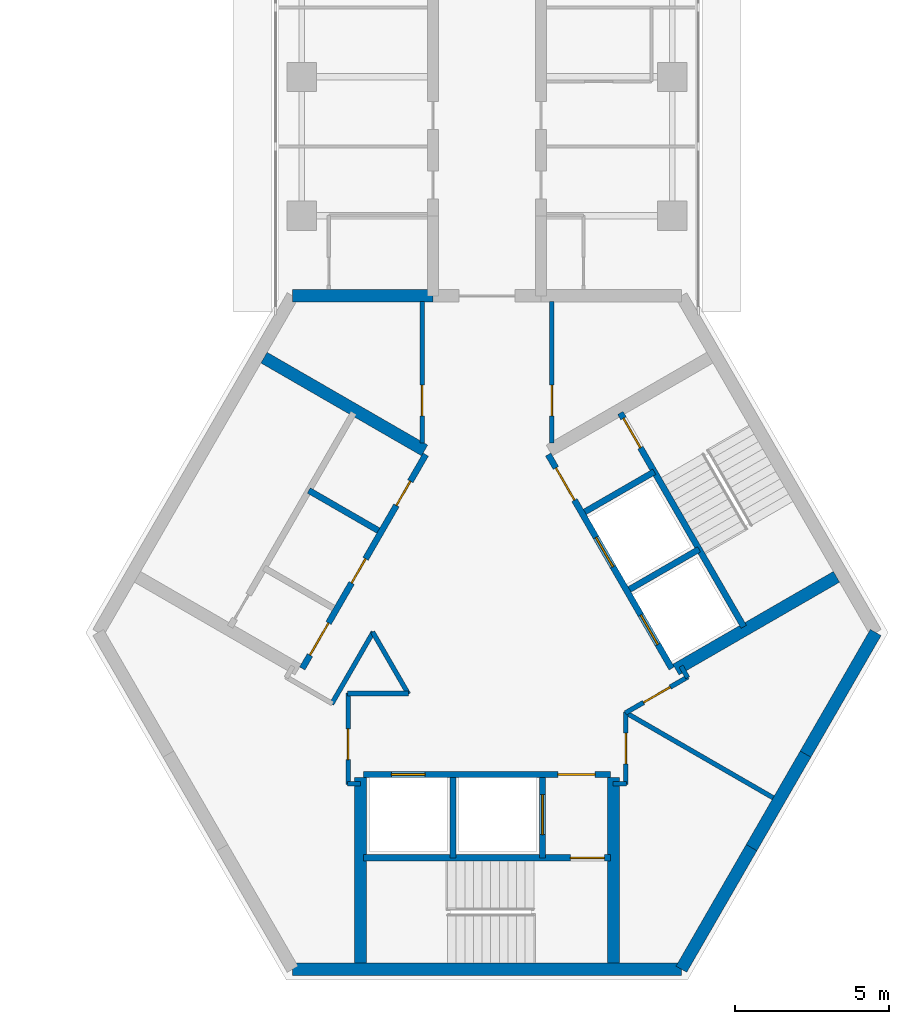
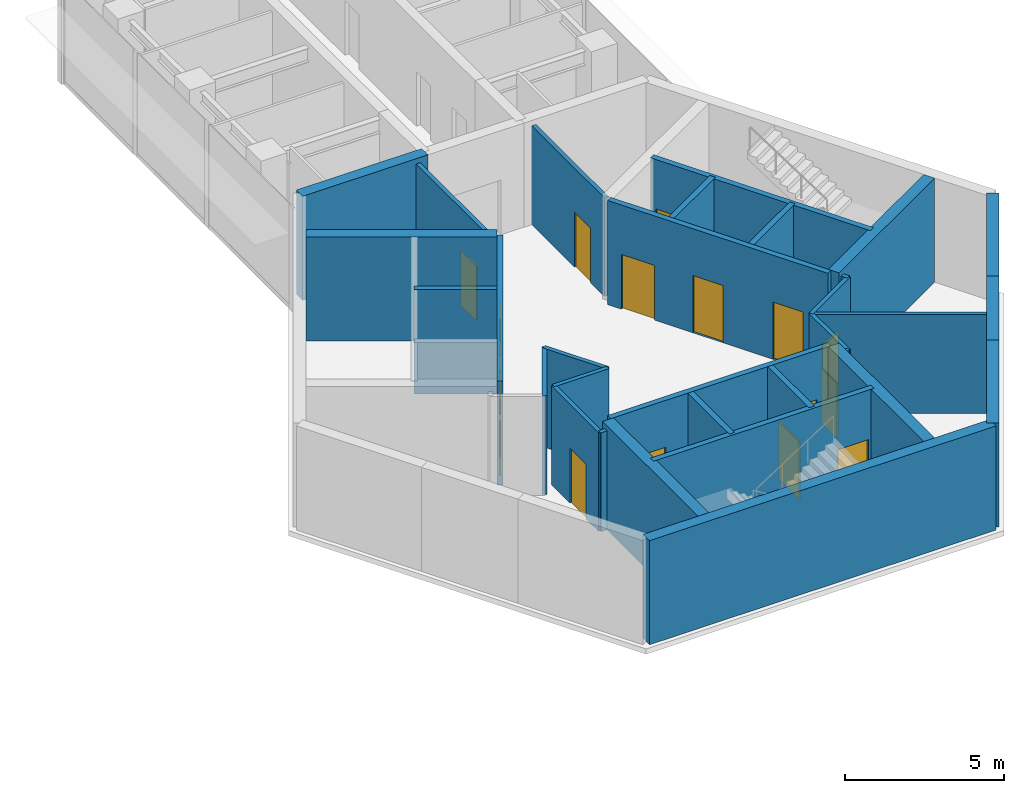
# One storey, part 8 of 11: 31 walls, 16 doors, 16 openings.
"""IFC4 building model written with IfcOpenShell, lengths in metres."""

from ifc_helpers import new_model, si_unit, direction, frame, frame_2d, origin, place, context, subcontext, project, spatial, rectangle, extrude, material, layer, layer_set, type_object, element, fill, save


model = new_model("IFC4")

# Units and contexts
model_context = context("Model", 3, precision=1e-05, world=origin(), true_north=direction((0.0, 1.0)))
body_context = subcontext(model_context, "Body", "Model", "MODEL_VIEW")
ifc_project = project(units=[si_unit("LENGTHUNIT", "METRE"), si_unit("AREAUNIT", "SQUARE_METRE"), si_unit("VOLUMEUNIT", "CUBIC_METRE"), si_unit("PLANEANGLEUNIT", "RADIAN"), si_unit("MASSUNIT", "GRAM", prefix="KILO")], contexts=[model_context])

# Site, building, storey
site_placement = place(None, origin())
site = spatial("IfcSite", under=ifc_project, at=site_placement, CompositionType="ELEMENT")
building_placement = place(site_placement, origin())
building = spatial("IfcBuilding", under=site, at=building_placement, Name="Upepo Twin Towers", CompositionType="ELEMENT")
storey_placement = place(building_placement, frame((0.0, 0.0, 279.5)))
storey = spatial("IfcBuildingStorey", under=building, at=storey_placement, Name="L68", CompositionType="ELEMENT", Elevation=279.5)

# Walls
ifc_material_1 = material(Name="Concrete C60/75", Category="concrete")
ifc_layer_1 = layer(ifc_material_1, 0.39990234375)
ifc_layer_set_1 = layer_set([ifc_layer_1], Name="Concrete C60/75")
wall_type_1 = type_object("IfcWallType", Name="Core wall 400 RC", PredefinedType="SHEAR", material=ifc_layer_set_1)
wall_1_placement = place(storey_placement, frame((56.75, -7.091552734375, 0.0), z_axis=(0.0, 0.0, 1.0), x_axis=(-1.0, 0.0, 0.0)))
element("IfcWall", 1, at=wall_1_placement, inside=storey, type_object=wall_type_1, Name="T2 core wall 000 L", PredefinedType="SHEAR", context=body_context, shape_type="SweptSolid", body=[
    extrude(rectangle(XDim=4.5478515625, YDim=0.39990234375, at=frame_2d((2.27392578125, 0.0))), origin(), (0.0, 0.0, 1.0), 4.0),
])
wall_2_placement = place(storey_placement, frame((52.2021484375, -28.908447265625, 0.0), z_axis=(0.0, 0.0, 1.0), x_axis=(1.0, 0.0, 0.0)))
element("IfcWall", 2, at=wall_2_placement, inside=storey, type_object=wall_type_1, Name="T2 core wall 180", PredefinedType="SHEAR", context=body_context, shape_type="SweptSolid", body=[
    extrude(rectangle(XDim=12.595703125, YDim=0.39990234375, at=frame_2d((6.2978515625, 0.0))), origin(), (0.0, 0.0, 1.0), 4.0),
])
wall_3_placement = place(storey_placement, frame((64.7978515625, -28.908447265625, 0.0), z_axis=(0.0, 0.0, 1.0), x_axis=(0.499984222037, 0.866034513004, 0.0)))
element("IfcWall", 3, at=wall_3_placement, inside=storey, type_object=wall_type_1, Name="T2 core wall 240 R", PredefinedType="SHEAR", context=body_context, shape_type="SweptSolid", body=[
    extrude(rectangle(XDim=4.548095703125, YDim=0.39990234375, at=frame_2d((2.27392578125, 0.0))), origin(), (0.0, 0.0, 1.0), 4.0),
])
wall_4_placement = place(storey_placement, frame((67.07177734375, -24.9697265625, 0.0), z_axis=(0.0, 0.0, 1.0), x_axis=(0.500010275428, 0.866019471182, 0.0)))
element("IfcWall", 4, at=wall_4_placement, inside=storey, type_object=wall_type_1, Name="T2 core wall 240", PredefinedType="SHEAR", context=body_context, shape_type="SweptSolid", body=[
    extrude(rectangle(XDim=3.5, YDim=0.39990234375, at=frame_2d((1.75, 0.0))), origin(), (0.0, 0.0, 1.0), 4.0),
])
wall_5_placement = place(storey_placement, frame((68.82177734375, -21.938720703125, 0.0), z_axis=(0.0, 0.0, 1.0), x_axis=(0.500024481964, 0.866011268655, 0.0)))
element("IfcWall", 5, at=wall_5_placement, inside=storey, type_object=wall_type_1, Name="T2 core wall 240 L", PredefinedType="SHEAR", context=body_context, shape_type="SweptSolid", body=[
    extrude(rectangle(XDim=4.548095703125, YDim=0.39990234375, at=frame_2d((2.27392578125, 0.0))), origin(), (0.0, 0.0, 1.0), 4.0),
])

# Wall, openings, doors
ifc_material_2 = material(Name="Concrete C40/50", Category="concrete")
ifc_layer_2 = layer(ifc_material_2, 0.199951171875)
ifc_layer_set_2 = layer_set([ifc_layer_2], Name="Concrete C40/50")
wall_type_2 = type_object("IfcWallType", Name="Shaft wall 200 RC", PredefinedType="SHEAR", material=ifc_layer_set_2)
wall_6_placement = place(storey_placement, frame((56.516357421875, -12.23583984375, 0.0), z_axis=(0.0, 0.0, 1.0), x_axis=(-0.49999894854, -0.866026010844, 0.0)))
wall_6 = element("IfcWall", 6, at=wall_6_placement, inside=storey, type_object=wall_type_2, Name="T2 core W60 front wall", PredefinedType="SHEAR", context=body_context, shape_type="SweptSolid", body=[
    extrude(rectangle(XDim=8.0, YDim=0.199951171875, at=frame_2d((4.0, 0.0))), origin(), (0.0, 0.0, 1.0), 4.0),
])
opening_1_placement = place(wall_6_placement, frame((6.300048828125, 0.0, 0.0)))
opening_1 = element("IfcOpeningElement", 7, at=opening_1_placement, cuts=wall_6, Name="Opening D4", PredefinedType="OPENING", context=body_context, shape_type="SweptSolid", body=[
    extrude(rectangle(XDim=1.199951171875, YDim=2.10009765625, at=frame_2d((0.60009765625, 1.050048828125))), frame((0.0, 0.10986328125, 0.0), z_axis=(0.0, -1.0, 0.0), x_axis=(1.0, 0.0, 0.0)), (0.0, 0.0, 1.0), 0.219970703125),
])
opening_2_placement = place(wall_6_placement, frame((1.0, 0.0, 0.0)))
opening_2 = element("IfcOpeningElement", 8, at=opening_2_placement, cuts=wall_6, Name="Opening D9", PredefinedType="OPENING", context=body_context, shape_type="SweptSolid", body=[
    extrude(rectangle(XDim=0.89990234375, YDim=2.10009765625, at=frame_2d((0.449951171875, 1.050048828125))), frame((0.0, 0.10986328125, 0.0), z_axis=(0.0, -1.0, 0.0), x_axis=(1.0, 0.0, 0.0)), (0.0, 0.0, 1.0), 0.219970703125),
])
opening_3_placement = place(wall_6_placement, frame((3.89990234375, 0.0, 0.0)))
opening_3 = element("IfcOpeningElement", 9, at=opening_3_placement, cuts=wall_6, Name="Opening D9", PredefinedType="OPENING", context=body_context, shape_type="SweptSolid", body=[
    extrude(rectangle(XDim=0.89990234375, YDim=2.10009765625, at=frame_2d((0.449951171875, 1.050048828125))), frame((0.0, 0.10986328125, 0.0), z_axis=(0.0, -1.0, 0.0), x_axis=(1.0, 0.0, 0.0)), (0.0, 0.0, 1.0), 0.219970703125),
])
ifc_material_3 = material(Name="Timber doorset", Category="wood")
door_type_1 = type_object("IfcDoorType", Name="Lobby door 1200 FD60", OperationType="SINGLE_SWING_LEFT", PredefinedType="DOOR", material=ifc_material_3)
door_1_placement = place(opening_1_placement, origin())
door_1 = element("IfcDoor", 10, at=door_1_placement, inside=storey, type_object=door_type_1, Name="T2 L68 W60 lobby door", OperationType="SINGLE_SWING_RIGHT", OverallHeight=2.10009765625, OverallWidth=1.199951171875, PredefinedType="DOOR", context=body_context, shape_type="SweptSolid", body=[
    extrude(rectangle(XDim=1.199951171875, YDim=2.10009765625, at=frame_2d((0.60009765625, 1.050048828125))), frame((0.0, 0.02490234375, 0.0), z_axis=(0.0, -1.0, 0.0), x_axis=(1.0, 0.0, 0.0)), (0.0, 0.0, 1.0), 0.050048828125),
])
fill(opening_1, door_1)
ifc_material_4 = material(Name="Timber doorset", Category="wood")
door_type_2 = type_object("IfcDoorType", Name="Riser door 900 FD60", OperationType="SINGLE_SWING_LEFT", PredefinedType="DOOR", material=ifc_material_4)
door_2_placement = place(opening_2_placement, origin())
door_2 = element("IfcDoor", 11, at=door_2_placement, inside=storey, type_object=door_type_2, Name="T2 L68 first-aid room door", OperationType="SINGLE_SWING_LEFT", OverallHeight=2.10009765625, OverallWidth=0.89990234375, PredefinedType="DOOR", context=body_context, shape_type="SweptSolid", body=[
    extrude(rectangle(XDim=0.89990234375, YDim=2.10009765625, at=frame_2d((0.449951171875, 1.050048828125))), frame((0.0, 0.02490234375, 0.0), z_axis=(0.0, -1.0, 0.0), x_axis=(1.0, 0.0, 0.0)), (0.0, 0.0, 1.0), 0.050048828125),
])
fill(opening_2, door_2)
door_3_placement = place(opening_3_placement, origin())
door_3 = element("IfcDoor", 12, at=door_3_placement, inside=storey, type_object=door_type_2, Name="T2 L68 pantry store door", OperationType="SINGLE_SWING_RIGHT", OverallHeight=2.10009765625, OverallWidth=0.89990234375, PredefinedType="DOOR", context=body_context, shape_type="SweptSolid", body=[
    extrude(rectangle(XDim=0.89990234375, YDim=2.10009765625, at=frame_2d((0.449951171875, 1.050048828125))), frame((0.0, 0.02490234375, 0.0), z_axis=(0.0, -1.0, 0.0), x_axis=(1.0, 0.0, 0.0)), (0.0, 0.0, 1.0), 0.050048828125),
])
fill(opening_3, door_3)

# Wall
wall_7_placement = place(storey_placement, frame((54.979736328125, -14.697265625, 0.0), z_axis=(0.0, 0.0, 1.0), x_axis=(-0.866062058628, 0.499936506574, 0.0)))
element("IfcWall", 13, at=wall_7_placement, inside=storey, type_object=wall_type_2, Name="T2 core W60 shaft divider", PredefinedType="SHEAR", context=body_context, shape_type="SweptSolid", body=[
    extrude(rectangle(XDim=2.599853515625, YDim=0.199951171875, at=frame_2d((1.2998046875, 0.0))), origin(), (0.0, 0.0, 1.0), 4.0),
])

# Wall, openings, doors
wall_8_placement = place(storey_placement, frame((54.5, -22.60009765625, 0.0), z_axis=(0.0, 0.0, 1.0), x_axis=(1.0, 0.0, 0.0)))
wall_8 = element("IfcWall", 14, at=wall_8_placement, inside=storey, type_object=wall_type_2, Name="T2 core W180 front wall", PredefinedType="SHEAR", context=body_context, shape_type="SweptSolid", body=[
    extrude(rectangle(XDim=8.0, YDim=0.199951171875, at=frame_2d((4.0, 0.0))), origin(), (0.0, 0.0, 1.0), 4.0),
])
opening_4_placement = place(wall_8_placement, frame((6.300048828125, 0.0, 0.0)))
opening_4 = element("IfcOpeningElement", 15, at=opening_4_placement, cuts=wall_8, Name="Opening D4", PredefinedType="OPENING", context=body_context, shape_type="SweptSolid", body=[
    extrude(rectangle(XDim=1.199951171875, YDim=2.10009765625, at=frame_2d((0.60009765625, 1.050048828125))), frame((0.0, 0.10986328125, 0.0), z_axis=(0.0, -1.0, 0.0), x_axis=(1.0, 0.0, 0.0)), (0.0, 0.0, 1.0), 0.219970703125),
])
opening_5_placement = place(wall_8_placement, frame((0.89990234375, 0.0, 0.0)))
opening_5 = element("IfcOpeningElement", 16, at=opening_5_placement, cuts=wall_8, Name="Opening LD1", PredefinedType="OPENING", context=body_context, shape_type="SweptSolid", body=[
    extrude(rectangle(XDim=1.10009765625, YDim=2.199951171875, at=frame_2d((0.550048828125, 1.10009765625))), frame((0.0, 0.10986328125, 0.0), z_axis=(0.0, -1.0, 0.0), x_axis=(1.0, 0.0, 0.0)), (0.0, 0.0, 1.0), 0.219970703125),
])
ifc_material_5 = material(Name="Steel doorset", Category="steel")
door_type_3 = type_object("IfcDoorType", Name="Lift landing door 1100", OperationType="DOUBLE_DOOR_SLIDING", PredefinedType="DOOR", material=ifc_material_5)
door_4_placement = place(opening_5_placement, origin())
door_4 = element("IfcDoor", 17, at=door_4_placement, inside=storey, type_object=door_type_3, Name="T2 L68 lift SV1 landing door", OperationType="DOUBLE_DOOR_SLIDING", OverallHeight=2.199951171875, OverallWidth=1.10009765625, PredefinedType="DOOR", context=body_context, shape_type="SweptSolid", body=[
    extrude(rectangle(XDim=1.10009765625, YDim=2.199951171875, at=frame_2d((0.550048828125, 1.10009765625))), frame((0.0, 0.02490234375, 0.0), z_axis=(0.0, -1.0, 0.0), x_axis=(1.0, 0.0, 0.0)), (0.0, 0.0, 1.0), 0.050048828125),
])
fill(opening_5, door_4)
door_5_placement = place(opening_4_placement, origin())
door_5 = element("IfcDoor", 18, at=door_5_placement, inside=storey, type_object=door_type_1, Name="T2 L68 W180 lobby door", OperationType="SINGLE_SWING_RIGHT", OverallHeight=2.10009765625, OverallWidth=1.199951171875, PredefinedType="DOOR", context=body_context, shape_type="SweptSolid", body=[
    extrude(rectangle(XDim=1.199951171875, YDim=2.10009765625, at=frame_2d((0.60009765625, 1.050048828125))), frame((0.0, 0.02490234375, 0.0), z_axis=(0.0, -1.0, 0.0), x_axis=(1.0, 0.0, 0.0)), (0.0, 0.0, 1.0), 0.050048828125),
])
fill(opening_4, door_5)

# Wall
wall_9_placement = place(storey_placement, frame((57.39990234375, -22.699951171875, 0.0), z_axis=(0.0, 0.0, 1.0), x_axis=(0.0, -1.0, 0.0)))
element("IfcWall", 19, at=wall_9_placement, inside=storey, type_object=wall_type_2, Name="T2 core W180 shaft divider", PredefinedType="SHEAR", context=body_context, shape_type="SweptSolid", body=[
    extrude(rectangle(XDim=2.60009765625, YDim=0.199951171875, at=frame_2d((1.300048828125, 0.0))), origin(), (0.0, 0.0, 1.0), 4.0),
])

# Wall, opening, door
wall_10_placement = place(storey_placement, frame((60.300048828125, -22.699951171875, 0.0), z_axis=(0.0, 0.0, 1.0), x_axis=(0.0, -1.0, 0.0)))
wall_10 = element("IfcWall", 20, at=wall_10_placement, inside=storey, type_object=wall_type_2, Name="T2 core W180 lobby wall", PredefinedType="SHEAR", context=body_context, shape_type="SweptSolid", body=[
    extrude(rectangle(XDim=2.60009765625, YDim=0.199951171875, at=frame_2d((1.300048828125, 0.0))), origin(), (0.0, 0.0, 1.0), 4.0),
])
opening_6_placement = place(wall_10_placement, frame((0.550048828125, 0.0, 0.0)))
opening_6 = element("IfcOpeningElement", 21, at=opening_6_placement, cuts=wall_10, Name="Opening LD2", PredefinedType="OPENING", context=body_context, shape_type="SweptSolid", body=[
    extrude(rectangle(XDim=1.300048828125, YDim=2.199951171875, at=frame_2d((0.64990234375, 1.10009765625))), frame((0.0, 0.10986328125, 0.0), z_axis=(0.0, -1.0, 0.0), x_axis=(1.0, 0.0, 0.0)), (0.0, 0.0, 1.0), 0.219970703125),
])
ifc_material_6 = material(Name="Steel doorset", Category="steel")
door_type_4 = type_object("IfcDoorType", Name="Firefighting lift landing door 1300", OperationType="DOUBLE_DOOR_SLIDING", PredefinedType="DOOR", material=ifc_material_6)
door_6_placement = place(opening_6_placement, origin())
door_6 = element("IfcDoor", 22, at=door_6_placement, inside=storey, type_object=door_type_4, Name="T2 L68 firefighting lift landing door", OperationType="DOUBLE_DOOR_SLIDING", OverallHeight=2.199951171875, OverallWidth=1.300048828125, PredefinedType="DOOR", context=body_context, shape_type="SweptSolid", body=[
    extrude(rectangle(XDim=1.300048828125, YDim=2.199951171875, at=frame_2d((0.64990234375, 1.10009765625))), frame((0.0, 0.02490234375, 0.0), z_axis=(0.0, -1.0, 0.0), x_axis=(1.0, 0.0, 0.0)), (0.0, 0.0, 1.0), 0.050048828125),
])
fill(opening_6, door_6)

wall_11_placement = place(storey_placement, frame((54.5, -25.300048828125, 0.0), z_axis=(0.0, 0.0, 1.0), x_axis=(1.0, 0.0, 0.0)))
wall_11 = element("IfcWall", 23, at=wall_11_placement, inside=storey, type_object=wall_type_2, Name="T2 core W180 stair wall", PredefinedType="SHEAR", context=body_context, shape_type="SweptSolid", body=[
    extrude(rectangle(XDim=8.0, YDim=0.199951171875, at=frame_2d((4.0, 0.0))), origin(), (0.0, 0.0, 1.0), 4.0),
])
opening_7_placement = place(wall_11_placement, frame((6.699951171875, 0.0, 0.0)))
opening_7 = element("IfcOpeningElement", 24, at=opening_7_placement, cuts=wall_11, Name="Opening D3", PredefinedType="OPENING", context=body_context, shape_type="SweptSolid", body=[
    extrude(rectangle(XDim=1.10009765625, YDim=2.10009765625, at=frame_2d((0.550048828125, 1.050048828125))), frame((0.0, 0.10986328125, 0.0), z_axis=(0.0, -1.0, 0.0), x_axis=(1.0, 0.0, 0.0)), (0.0, 0.0, 1.0), 0.219970703125),
])
ifc_material_7 = material(Name="Timber doorset", Category="wood")
door_type_5 = type_object("IfcDoorType", Name="Stair door 1100 FD60", OperationType="SINGLE_SWING_LEFT", PredefinedType="DOOR", material=ifc_material_7)
door_7_placement = place(opening_7_placement, origin())
door_7 = element("IfcDoor", 25, at=door_7_placement, inside=storey, type_object=door_type_5, Name="T2 L68 stair door", OperationType="SINGLE_SWING_RIGHT", OverallHeight=2.10009765625, OverallWidth=1.10009765625, PredefinedType="DOOR", context=body_context, shape_type="SweptSolid", body=[
    extrude(rectangle(XDim=1.10009765625, YDim=2.10009765625, at=frame_2d((0.550048828125, 1.050048828125))), frame((0.0, 0.02490234375, 0.0), z_axis=(0.0, -1.0, 0.0), x_axis=(1.0, 0.0, 0.0)), (0.0, 0.0, 1.0), 0.050048828125),
])
fill(opening_7, door_7)

# Wall, openings, doors
wall_12_placement = place(storey_placement, frame((64.483642578125, -19.1640625, 0.0), z_axis=(0.0, 0.0, 1.0), x_axis=(-0.49999894854, 0.866026010844, 0.0)))
wall_12 = element("IfcWall", 26, at=wall_12_placement, inside=storey, type_object=wall_type_2, Name="T2 core W300 front wall", PredefinedType="SHEAR", context=body_context, shape_type="SweptSolid", body=[
    extrude(rectangle(XDim=8.0, YDim=0.199951171875, at=frame_2d((4.0, 0.0))), origin(), (0.0, 0.0, 1.0), 4.0),
])
opening_8_placement = place(wall_12_placement, frame((6.300048828125, 0.0, 0.0)))
opening_8 = element("IfcOpeningElement", 27, at=opening_8_placement, cuts=wall_12, Name="Opening D4", PredefinedType="OPENING", context=body_context, shape_type="SweptSolid", body=[
    extrude(rectangle(XDim=1.199951171875, YDim=2.10009765625, at=frame_2d((0.60009765625, 1.050048828125))), frame((0.0, 0.10986328125, 0.0), z_axis=(0.0, -1.0, 0.0), x_axis=(1.0, 0.0, 0.0)), (0.0, 0.0, 1.0), 0.219970703125),
])
opening_9_placement = place(wall_12_placement, frame((0.89990234375, 0.0, 0.0)))
opening_9 = element("IfcOpeningElement", 28, at=opening_9_placement, cuts=wall_12, Name="Opening LD1", PredefinedType="OPENING", context=body_context, shape_type="SweptSolid", body=[
    extrude(rectangle(XDim=1.10009765625, YDim=2.199951171875, at=frame_2d((0.550048828125, 1.10009765625))), frame((0.0, 0.10986328125, 0.0), z_axis=(0.0, -1.0, 0.0), x_axis=(1.0, 0.0, 0.0)), (0.0, 0.0, 1.0), 0.219970703125),
])
opening_10_placement = place(wall_12_placement, frame((3.800048828125, 0.0, 0.0)))
opening_10 = element("IfcOpeningElement", 29, at=opening_10_placement, cuts=wall_12, Name="Opening LD1", PredefinedType="OPENING", context=body_context, shape_type="SweptSolid", body=[
    extrude(rectangle(XDim=1.10009765625, YDim=2.199951171875, at=frame_2d((0.550048828125, 1.10009765625))), frame((0.0, 0.10986328125, 0.0), z_axis=(0.0, -1.0, 0.0), x_axis=(1.0, 0.0, 0.0)), (0.0, 0.0, 1.0), 0.219970703125),
])
door_8_placement = place(opening_9_placement, origin())
door_8 = element("IfcDoor", 30, at=door_8_placement, inside=storey, type_object=door_type_3, Name="T2 L68 lift TL1 landing door", OperationType="DOUBLE_DOOR_SLIDING", OverallHeight=2.199951171875, OverallWidth=1.10009765625, PredefinedType="DOOR", context=body_context, shape_type="SweptSolid", body=[
    extrude(rectangle(XDim=1.10009765625, YDim=2.199951171875, at=frame_2d((0.550048828125, 1.10009765625))), frame((0.0, 0.02490234375, 0.0), z_axis=(0.0, -1.0, 0.0), x_axis=(1.0, 0.0, 0.0)), (0.0, 0.0, 1.0), 0.050048828125),
])
fill(opening_9, door_8)
door_9_placement = place(opening_10_placement, origin())
door_9 = element("IfcDoor", 31, at=door_9_placement, inside=storey, type_object=door_type_3, Name="T2 L68 lift TL2 landing door", OperationType="DOUBLE_DOOR_SLIDING", OverallHeight=2.199951171875, OverallWidth=1.10009765625, PredefinedType="DOOR", context=body_context, shape_type="SweptSolid", body=[
    extrude(rectangle(XDim=1.10009765625, YDim=2.199951171875, at=frame_2d((0.550048828125, 1.10009765625))), frame((0.0, 0.02490234375, 0.0), z_axis=(0.0, -1.0, 0.0), x_axis=(1.0, 0.0, 0.0)), (0.0, 0.0, 1.0), 0.050048828125),
])
fill(opening_10, door_9)
door_10_placement = place(opening_8_placement, origin())
door_10 = element("IfcDoor", 32, at=door_10_placement, inside=storey, type_object=door_type_1, Name="T2 L68 W300 lobby door", OperationType="SINGLE_SWING_RIGHT", OverallHeight=2.10009765625, OverallWidth=1.199951171875, PredefinedType="DOOR", context=body_context, shape_type="SweptSolid", body=[
    extrude(rectangle(XDim=1.199951171875, YDim=2.10009765625, at=frame_2d((0.60009765625, 1.050048828125))), frame((0.0, 0.02490234375, 0.0), z_axis=(0.0, -1.0, 0.0), x_axis=(1.0, 0.0, 0.0)), (0.0, 0.0, 1.0), 0.050048828125),
])
fill(opening_8, door_10)

# Walls
wall_13_placement = place(storey_placement, frame((63.120361328125, -16.6025390625, 0.0), z_axis=(0.0, 0.0, 1.0), x_axis=(0.866062058628, 0.499936506574, 0.0)))
element("IfcWall", 33, at=wall_13_placement, inside=storey, type_object=wall_type_2, Name="T2 core W300 shaft divider", PredefinedType="SHEAR", context=body_context, shape_type="SweptSolid", body=[
    extrude(rectangle(XDim=2.599853515625, YDim=0.199951171875, at=frame_2d((1.2998046875, 0.0))), origin(), (0.0, 0.0, 1.0), 4.0),
])
wall_14_placement = place(storey_placement, frame((61.67041015625, -14.091064453125, 0.0), z_axis=(0.0, 0.0, 1.0), x_axis=(0.86603858612, 0.49997716683, 0.0)))
element("IfcWall", 34, at=wall_14_placement, inside=storey, type_object=wall_type_2, Name="T2 core W300 lobby wall", PredefinedType="SHEAR", context=body_context, shape_type="SweptSolid", body=[
    extrude(rectangle(XDim=2.599609375, YDim=0.199951171875, at=frame_2d((1.2998046875, 0.0))), origin(), (0.0, 0.0, 1.0), 4.0),
])

# Wall, opening, door
wall_15_placement = place(storey_placement, frame((66.822021484375, -17.814208984375, 0.0), z_axis=(0.0, 0.0, 1.0), x_axis=(-0.49999894854, 0.866026010844, 0.0)))
wall_15 = element("IfcWall", 35, at=wall_15_placement, inside=storey, type_object=wall_type_2, Name="T2 core W300 stair wall", PredefinedType="SHEAR", context=body_context, shape_type="SweptSolid", body=[
    extrude(rectangle(XDim=8.0, YDim=0.199951171875, at=frame_2d((4.0, 0.0))), origin(), (0.0, 0.0, 1.0), 4.0),
])
opening_11_placement = place(wall_15_placement, frame((6.699951171875, 0.0, 0.0)))
opening_11 = element("IfcOpeningElement", 36, at=opening_11_placement, cuts=wall_15, Name="Opening D3", PredefinedType="OPENING", context=body_context, shape_type="SweptSolid", body=[
    extrude(rectangle(XDim=1.10009765625, YDim=2.10009765625, at=frame_2d((0.550048828125, 1.050048828125))), frame((0.0, 0.10986328125, 0.0), z_axis=(0.0, -1.0, 0.0), x_axis=(1.0, 0.0, 0.0)), (0.0, 0.0, 1.0), 0.219970703125),
])
door_11_placement = place(opening_11_placement, origin())
door_11 = element("IfcDoor", 37, at=door_11_placement, inside=storey, type_object=door_type_5, Name="T2 L68 stair door", OperationType="SINGLE_SWING_RIGHT", OverallHeight=2.10009765625, OverallWidth=1.10009765625, PredefinedType="DOOR", context=body_context, shape_type="SweptSolid", body=[
    extrude(rectangle(XDim=1.10009765625, YDim=2.10009765625, at=frame_2d((0.550048828125, 1.050048828125))), frame((0.0, 0.02490234375, 0.0), z_axis=(0.0, -1.0, 0.0), x_axis=(1.0, 0.0, 0.0)), (0.0, 0.0, 1.0), 0.050048828125),
])
fill(opening_11, door_11)

# Walls
ifc_material_8 = material(Name="Concrete C40/50", Category="concrete")
ifc_layer_3 = layer(ifc_material_8, 0.39990234375)
ifc_layer_set_3 = layer_set([ifc_layer_3], Name="Concrete C40/50")
wall_type_3 = type_object("IfcWallType", Name="Shaft wall 400 RC", PredefinedType="SHEAR", material=ifc_layer_set_3)
for number, where, z_axis, x_axis, name in (
    (38, (56.479736328125, -12.099365234375, 0.0), (0.0, 0.0, 1.0), (-0.866026570101, 0.499997979876, 0.0), "T2 core W60 side wall S"),
    (39, (62.60009765625, -22.699951171875, 0.0), (0.0, 0.0, 1.0), (0.0, -1.0, 0.0), "T2 core W180 side wall N"),
    (40, (54.39990234375, -22.699951171875, 0.0), (0.0, 0.0, 1.0), (0.0, -1.0, 0.0), "T2 core W180 side wall S"),
    (41, (64.620361328125, -19.20068359375, 0.0), (0.0, 0.0, 1.0), (0.866026570101, 0.499997979876, 0.0), "T2 core W300 side wall S"),
):
    element("IfcWall", number, at=place(storey_placement, frame(where, z_axis=z_axis, x_axis=x_axis)), inside=storey, type_object=wall_type_3, Name=name, PredefinedType="SHEAR", context=body_context, shape_type="SweptSolid", body=[
        extrude(rectangle(XDim=6.00830078125, YDim=0.39990234375, at=frame_2d((3.004150390625, 0.0))), origin(), (0.0, 0.0, 1.0), 4.0),
    ])
ifc_material_9 = material(Name="Gypsum board on steel studs", Category="steel")
ifc_layer_4 = layer(ifc_material_9, 0.14990234375)
ifc_layer_set_4 = layer_set([ifc_layer_4], Name="Teaching partition 150 acoustic")
wall_type_4 = type_object("IfcWallType", Name="Teaching partition 150 acoustic", PredefinedType="PARTITIONING", material=ifc_layer_set_4)
for number, where, z_axis, x_axis, name in (
    (42, (63.02001953125, -22.89990234375, 0.0), (0.0, 0.0, 1.0), (-1.0, 0.0, 0.0), "T2 core room partition 1"),
    (43, (54.409912109375, -22.89990234375, 0.0), (0.0, 0.0, 1.0), (-1.0, 0.0, 0.0), "T2 core room partition 2"),
):
    element("IfcWall", number, at=place(storey_placement, frame(where, z_axis=z_axis, x_axis=x_axis)), inside=storey, type_object=wall_type_4, Name=name, PredefinedType="PARTITIONING", context=body_context, shape_type="SweptSolid", body=[
        extrude(rectangle(XDim=0.429931640625, YDim=0.14990234375, at=frame_2d((0.21484375, 0.0))), origin(), (0.0, 0.0, 1.0), 3.800048828125),
    ])

# Wall, opening, door
wall_16_placement = place(storey_placement, frame((54.0, -22.919921875, 0.0), z_axis=(0.0, 0.0, 1.0), x_axis=(0.0, 1.0, 0.0)))
wall_16 = element("IfcWall", 44, at=wall_16_placement, inside=storey, type_object=wall_type_4, Name="T2 core room partition 3", PredefinedType="PARTITIONING", context=body_context, shape_type="SweptSolid", body=[
    extrude(rectangle(XDim=2.96484375, YDim=0.14990234375, at=frame_2d((1.482421875, 0.0))), origin(), (0.0, 0.0, 1.0), 3.800048828125),
])
opening_12_placement = place(wall_16_placement, frame((0.800048828125, 0.0, 0.0)))
opening_12 = element("IfcOpeningElement", 45, at=opening_12_placement, cuts=wall_16, Name="Opening D1", PredefinedType="OPENING", context=body_context, shape_type="SweptSolid", body=[
    extrude(rectangle(XDim=1.0, YDim=2.10009765625, at=frame_2d((0.5, 1.050048828125))), frame((0.0, 0.0849609375, 0.0), z_axis=(0.0, -1.0, 0.0), x_axis=(1.0, 0.0, 0.0)), (0.0, 0.0, 1.0), 0.169921875),
])
ifc_material_10 = material(Name="Timber doorset", Category="wood")
door_type_6 = type_object("IfcDoorType", Name="Room door 1000 FD30", OperationType="SINGLE_SWING_LEFT", PredefinedType="DOOR", material=ifc_material_10)
door_12_placement = place(opening_12_placement, origin())
door_12 = element("IfcDoor", 46, at=door_12_placement, inside=storey, type_object=door_type_6, Name="T2 L68 core room door K1", OperationType="SINGLE_SWING_LEFT", OverallHeight=2.10009765625, OverallWidth=1.0, PredefinedType="DOOR", context=body_context, shape_type="SweptSolid", body=[
    extrude(rectangle(XDim=1.0, YDim=2.10009765625, at=frame_2d((0.5, 1.050048828125))), frame((0.0, 0.02490234375, 0.0), z_axis=(0.0, -1.0, 0.0), x_axis=(1.0, 0.0, 0.0)), (0.0, 0.0, 1.0), 0.050048828125),
])
fill(opening_12, door_12)

# Walls
wall_17_placement = place(storey_placement, frame((53.97998046875, -19.97509765625, 0.0), z_axis=(0.0, 0.0, 1.0), x_axis=(1.0, 0.0, 0.0)))
element("IfcWall", 47, at=wall_17_placement, inside=storey, type_object=wall_type_4, Name="T2 core room partition 4", PredefinedType="PARTITIONING", context=body_context, shape_type="SweptSolid", body=[
    extrude(rectangle(XDim=1.985107421875, YDim=0.14990234375, at=frame_2d((0.99267578125, 0.0))), origin(), (0.0, 0.0, 1.0), 3.800048828125),
])
wall_18_placement = place(storey_placement, frame((55.955078125, -19.992431640625, 0.0), z_axis=(0.0, 0.0, 1.0), x_axis=(-0.499941024108, 0.866059450854, 0.0)))
element("IfcWall", 48, at=wall_18_placement, inside=storey, type_object=wall_type_4, Name="T2 core room partition 5", PredefinedType="PARTITIONING", context=body_context, shape_type="SweptSolid", body=[
    extrude(rectangle(XDim=2.320556640625, YDim=0.14990234375, at=frame_2d((1.16015625, 0.0))), origin(), (0.0, 0.0, 1.0), 3.800048828125),
])
wall_19_placement = place(storey_placement, frame((54.81494140625, -17.982666015625, 0.0), z_axis=(0.0, 0.0, 1.0), x_axis=(-0.499981473571, -0.866036099759, 0.0)))
element("IfcWall", 49, at=wall_19_placement, inside=storey, type_object=wall_type_4, Name="T2 core room partition 6", PredefinedType="PARTITIONING", context=body_context, shape_type="SweptSolid", body=[
    extrude(rectangle(XDim=2.6923828125, YDim=0.14990234375, at=frame_2d((1.34619140625, 0.0))), origin(), (0.0, 0.0, 1.0), 3.800048828125),
])

# Wall, opening, door
wall_20_placement = place(storey_placement, frame((56.39990234375, -11.857421875, 0.0), z_axis=(0.0, 0.0, 1.0), x_axis=(0.0, 1.0, 0.0)))
wall_20 = element("IfcWall", 50, at=wall_20_placement, inside=storey, type_object=wall_type_4, Name="T2 core room partition 9", PredefinedType="PARTITIONING", context=body_context, shape_type="SweptSolid", body=[
    extrude(rectangle(XDim=4.57568359375, YDim=0.14990234375, at=frame_2d((2.287841796875, 0.0))), origin(), (0.0, 0.0, 1.0), 3.800048828125),
])
opening_13_placement = place(wall_20_placement, frame((0.87255859375, 0.0, 0.0)))
opening_13 = element("IfcOpeningElement", 51, at=opening_13_placement, cuts=wall_20, Name="Opening D1", PredefinedType="OPENING", context=body_context, shape_type="SweptSolid", body=[
    extrude(rectangle(XDim=1.0, YDim=2.10009765625, at=frame_2d((0.5, 1.050048828125))), frame((0.0, 0.0849609375, 0.0), z_axis=(0.0, -1.0, 0.0), x_axis=(1.0, 0.0, 0.0)), (0.0, 0.0, 1.0), 0.169921875),
])
door_13_placement = place(opening_13_placement, origin())
door_13 = element("IfcDoor", 52, at=door_13_placement, inside=storey, type_object=door_type_6, Name="T2 L68 core room door K5", OperationType="SINGLE_SWING_LEFT", OverallHeight=2.10009765625, OverallWidth=1.0, PredefinedType="DOOR", context=body_context, shape_type="SweptSolid", body=[
    extrude(rectangle(XDim=1.0, YDim=2.10009765625, at=frame_2d((0.5, 1.050048828125))), frame((0.0, 0.02490234375, 0.0), z_axis=(0.0, -1.0, 0.0), x_axis=(1.0, 0.0, 0.0)), (0.0, 0.0, 1.0), 0.050048828125),
])
fill(opening_13, door_13)

wall_21_placement = place(storey_placement, frame((60.60009765625, -7.28173828125, 0.0), z_axis=(0.0, 0.0, 1.0), x_axis=(0.0, -1.0, 0.0)))
wall_21 = element("IfcWall", 53, at=wall_21_placement, inside=storey, type_object=wall_type_4, Name="T2 core room partition 10", PredefinedType="PARTITIONING", context=body_context, shape_type="SweptSolid", body=[
    extrude(rectangle(XDim=4.57568359375, YDim=0.14990234375, at=frame_2d((2.287841796875, 0.0))), origin(), (0.0, 0.0, 1.0), 3.800048828125),
])
opening_14_placement = place(wall_21_placement, frame((2.702880859375, 0.0, 0.0)))
opening_14 = element("IfcOpeningElement", 54, at=opening_14_placement, cuts=wall_21, Name="Opening D1", PredefinedType="OPENING", context=body_context, shape_type="SweptSolid", body=[
    extrude(rectangle(XDim=1.0, YDim=2.10009765625, at=frame_2d((0.5, 1.050048828125))), frame((0.0, 0.0849609375, 0.0), z_axis=(0.0, -1.0, 0.0), x_axis=(1.0, 0.0, 0.0)), (0.0, 0.0, 1.0), 0.169921875),
])
door_14_placement = place(opening_14_placement, origin())
door_14 = element("IfcDoor", 55, at=door_14_placement, inside=storey, type_object=door_type_6, Name="T2 L68 core room door K4", OperationType="SINGLE_SWING_RIGHT", OverallHeight=2.10009765625, OverallWidth=1.0, PredefinedType="DOOR", context=body_context, shape_type="SweptSolid", body=[
    extrude(rectangle(XDim=1.0, YDim=2.10009765625, at=frame_2d((0.5, 1.050048828125))), frame((0.0, 0.02490234375, 0.0), z_axis=(0.0, -1.0, 0.0), x_axis=(1.0, 0.0, 0.0)), (0.0, 0.0, 1.0), 0.050048828125),
])
fill(opening_14, door_14)

# Wall
wall_22_placement = place(storey_placement, frame((64.78857421875, -19.092041015625, 0.0), z_axis=(0.0, 0.0, 1.0), x_axis=(0.499804398801, -0.866138304741, 0.0)))
element("IfcWall", 56, at=wall_22_placement, inside=storey, type_object=wall_type_4, Name="T2 core room partition 11", PredefinedType="PARTITIONING", context=body_context, shape_type="SweptSolid", body=[
    extrude(rectangle(XDim=0.429931640625, YDim=0.14990234375, at=frame_2d((0.21484375, 0.0))), origin(), (0.0, 0.0, 1.0), 3.800048828125),
])

# Wall, opening, door
wall_23_placement = place(storey_placement, frame((65.0107421875, -19.43701171875, 0.0), z_axis=(0.0, 0.0, 1.0), x_axis=(-0.865982457891, -0.500074377092, 0.0)))
wall_23 = element("IfcWall", 57, at=wall_23_placement, inside=storey, type_object=wall_type_4, Name="T2 core room partition 12", PredefinedType="PARTITIONING", context=body_context, shape_type="SweptSolid", body=[
    extrude(rectangle(XDim=2.342041015625, YDim=0.14990234375, at=frame_2d((1.1708984375, 0.0))), origin(), (0.0, 0.0, 1.0), 3.800048828125),
])
opening_15_placement = place(wall_23_placement, frame((0.660888671875, 0.0, 0.0)))
opening_15 = element("IfcOpeningElement", 58, at=opening_15_placement, cuts=wall_23, Name="Opening D1", PredefinedType="OPENING", context=body_context, shape_type="SweptSolid", body=[
    extrude(rectangle(XDim=1.0, YDim=2.10009765625, at=frame_2d((0.5, 1.050048828125))), frame((0.0, 0.0849609375, 0.0), z_axis=(0.0, -1.0, 0.0), x_axis=(1.0, 0.0, 0.0)), (0.0, 0.0, 1.0), 0.169921875),
])
door_15_placement = place(opening_15_placement, origin())
door_15 = element("IfcDoor", 59, at=door_15_placement, inside=storey, type_object=door_type_6, Name="T2 L68 core room door K3", OperationType="SINGLE_SWING_LEFT", OverallHeight=2.10009765625, OverallWidth=1.0, PredefinedType="DOOR", context=body_context, shape_type="SweptSolid", body=[
    extrude(rectangle(XDim=1.0, YDim=2.10009765625, at=frame_2d((0.5, 1.050048828125))), frame((0.0, 0.02490234375, 0.0), z_axis=(0.0, -1.0, 0.0), x_axis=(1.0, 0.0, 0.0)), (0.0, 0.0, 1.0), 0.050048828125),
])
fill(opening_15, door_15)

wall_24_placement = place(storey_placement, frame((63.0, -20.578125, 0.0), z_axis=(0.0, 0.0, 1.0), x_axis=(0.0, -1.0, 0.0)))
wall_24 = element("IfcWall", 60, at=wall_24_placement, inside=storey, type_object=wall_type_4, Name="T2 core room partition 13", PredefinedType="PARTITIONING", context=body_context, shape_type="SweptSolid", body=[
    extrude(rectangle(XDim=2.341796875, YDim=0.14990234375, at=frame_2d((1.1708984375, 0.0))), origin(), (0.0, 0.0, 1.0), 3.800048828125),
])
opening_16_placement = place(wall_24_placement, frame((0.68115234375, 0.0, 0.0)))
opening_16 = element("IfcOpeningElement", 61, at=opening_16_placement, cuts=wall_24, Name="Opening D1", PredefinedType="OPENING", context=body_context, shape_type="SweptSolid", body=[
    extrude(rectangle(XDim=1.0, YDim=2.10009765625, at=frame_2d((0.5, 1.050048828125))), frame((0.0, 0.0849609375, 0.0), z_axis=(0.0, -1.0, 0.0), x_axis=(1.0, 0.0, 0.0)), (0.0, 0.0, 1.0), 0.169921875),
])
door_16_placement = place(opening_16_placement, origin())
door_16 = element("IfcDoor", 62, at=door_16_placement, inside=storey, type_object=door_type_6, Name="T2 L68 core room door K2", OperationType="SINGLE_SWING_RIGHT", OverallHeight=2.10009765625, OverallWidth=1.0, PredefinedType="DOOR", context=body_context, shape_type="SweptSolid", body=[
    extrude(rectangle(XDim=1.0, YDim=2.10009765625, at=frame_2d((0.5, 1.050048828125))), frame((0.0, 0.02490234375, 0.0), z_axis=(0.0, -1.0, 0.0), x_axis=(1.0, 0.0, 0.0)), (0.0, 0.0, 1.0), 0.050048828125),
])
fill(opening_16, door_16)

# Wall
wall_25_placement = place(storey_placement, frame((63.074951171875, -20.641357421875, 0.0), z_axis=(0.0, 0.0, 1.0), x_axis=(0.866019232626, -0.500010688608, 0.0)))
element("IfcWall", 63, at=wall_25_placement, inside=storey, type_object=wall_type_4, Name="T2 core room partition 14", PredefinedType="PARTITIONING", context=body_context, shape_type="SweptSolid", body=[
    extrude(rectangle(XDim=5.42578125, YDim=0.14990234375, at=frame_2d((2.712890625, 0.0))), origin(), (0.0, 0.0, 1.0), 3.800048828125),
])

save(model, "model.ifc")
